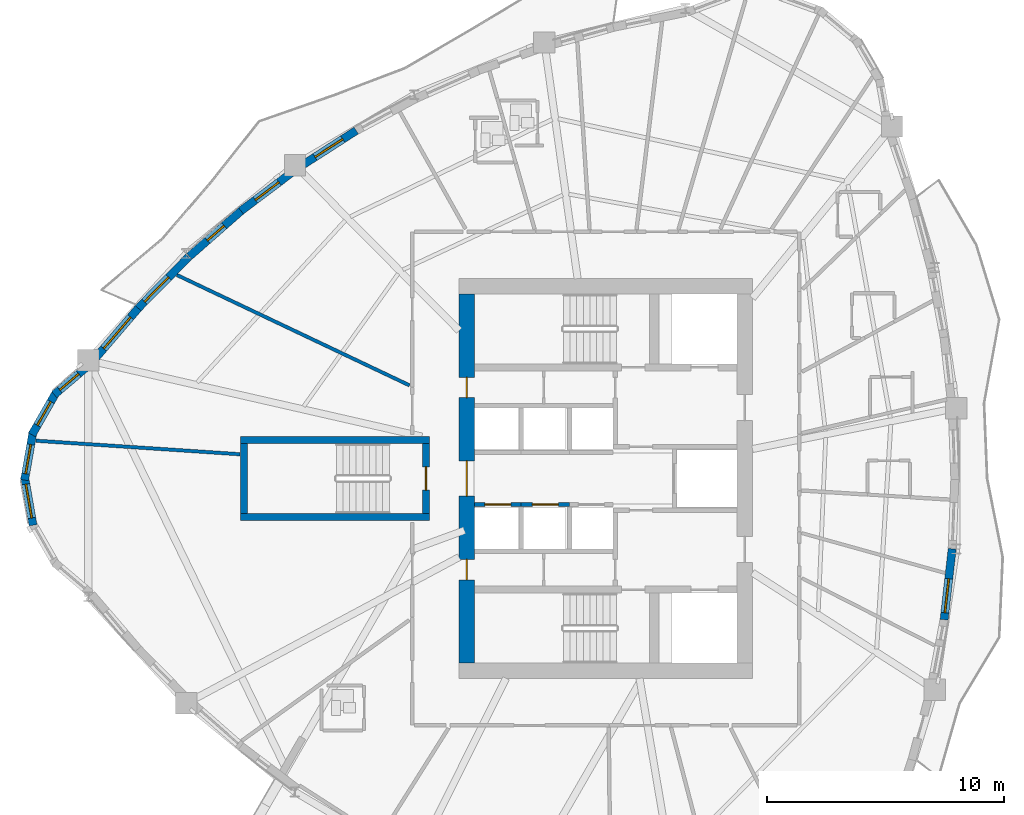
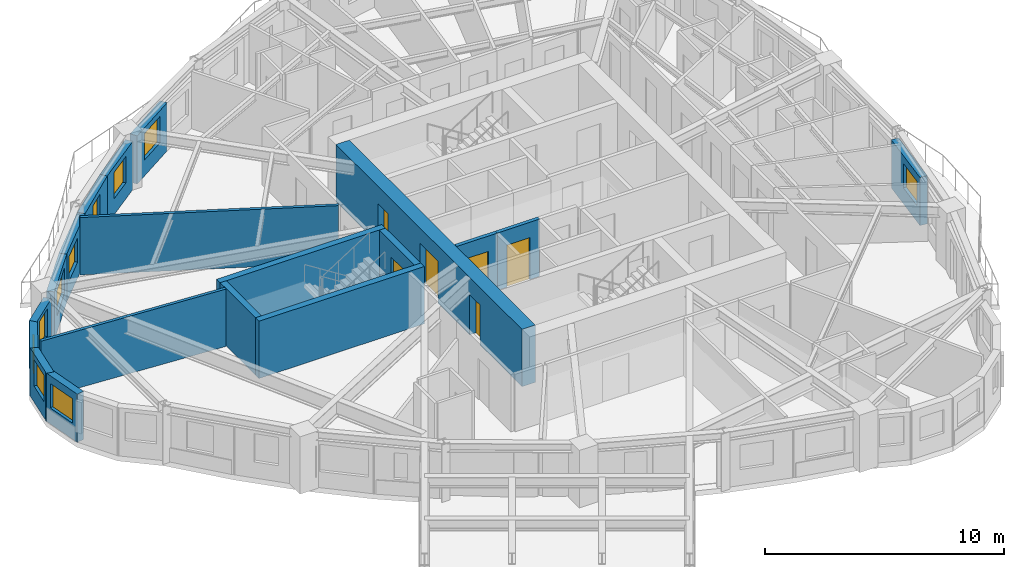
# One storey, part 7 of 17: 19 walls, 10 windows, 6 doors, 16 openings.
"""IFC4 building model written with IfcOpenShell, lengths in metres."""

from ifc_helpers import new_model, si_unit, direction, frame, frame_2d, origin, place, context, subcontext, project, spatial, rectangle, extrude, source, transform, mapped, material, layer, layer_set, type_object, element, fill, save


model = new_model("IFC4")

# Units and contexts
model_context = context("Model", 3, precision=1e-05, world=origin(), true_north=direction((0.0, 1.0)))
body_context = subcontext(model_context, "Body", "Model", "MODEL_VIEW")
ifc_project = project(units=[si_unit("LENGTHUNIT", "METRE"), si_unit("AREAUNIT", "SQUARE_METRE"), si_unit("VOLUMEUNIT", "CUBIC_METRE"), si_unit("PLANEANGLEUNIT", "RADIAN"), si_unit("MASSUNIT", "GRAM", prefix="KILO")], contexts=[model_context])

# Site, building, storey
site_placement = place(None, origin())
site = spatial("IfcSite", under=ifc_project, at=site_placement, CompositionType="ELEMENT")
building_placement = place(site_placement, origin())
building = spatial("IfcBuilding", under=site, at=building_placement, Name="Qafzar Sky-Pleat Residences", CompositionType="ELEMENT")
storey_placement = place(building_placement, frame((0.0, 0.0, 112.0)))
storey = spatial("IfcBuildingStorey", under=building, at=storey_placement, Name="L33", CompositionType="ELEMENT", Elevation=112.0)

# Wall, opening, door
ifc_material_1 = material(Name="Concrete blockwork partition", Category="masonry")
ifc_layer_1 = layer(ifc_material_1, 0.179931640625)
ifc_layer_set_1 = layer_set([ifc_layer_1], Name="Concrete blockwork partition")
wall_type_1 = type_object("IfcWallType", Name="PART-SHAFT-180", PredefinedType="PARTITIONING", material=ifc_layer_set_1)
wall_1_placement = place(storey_placement, frame((24.81005859375, 24.89990234375, 0.0), z_axis=(0.0, 0.0, 1.0), x_axis=(1.0, 0.0, 0.0)))
wall_1 = element("IfcWall", 1, at=wall_1_placement, inside=storey, type_object=wall_type_1, Name="L33 Partition Wall PART-L33-P1-N", PredefinedType="PARTITIONING", context=body_context, shape_type="SweptSolid", body=[
    extrude(rectangle(XDim=1.96484375, YDim=0.179931640625, at=frame_2d((0.982421875, 0.0))), origin(), (0.0, 0.0, 1.0), 2.93505859375),
])
opening_1_placement = place(wall_1_placement, frame((0.4326171875, 0.0, 0.0)))
opening_1 = element("IfcOpeningElement", 2, at=opening_1_placement, cuts=wall_1, Name="Opening LD-01", PredefinedType="OPENING", context=body_context, shape_type="SweptSolid", body=[
    extrude(rectangle(XDim=1.10009765625, YDim=2.14990234375, at=frame_2d((0.550048828125, 1.074951171875))), frame((0.0, 0.10009765625, 0.0), z_axis=(0.0, -1.0, 0.0), x_axis=(1.0, 0.0, 0.0)), (0.0, 0.0, 1.0), 0.199951171875),
])
ifc_material_2 = material(Name="Stainless steel sliding landing door", Category="steel")
door_type_1 = type_object("IfcDoorType", Name="DR-LIFT-P", OperationType="DOUBLE_DOOR_SLIDING", PredefinedType="DOOR", material=ifc_material_2)
shared_shape_1 = source(origin(), body_context, "Body", "SweptSolid", [
    extrude(rectangle(XDim=1.10009765625, YDim=2.14990234375, at=frame_2d((0.550048828125, 1.074951171875))), frame((0.0, 0.02490234375, 0.0), z_axis=(0.0, -1.0, 0.0), x_axis=(1.0, 0.0, 0.0)), (0.0, 0.0, 1.0), 0.050048828125),
])
door_1_placement = place(opening_1_placement, origin())
door_1 = element("IfcDoor", 3, at=door_1_placement, inside=storey, type_object=door_type_1, Name="L33 Passenger Lift P1 Landing Door", OperationType="DOUBLE_DOOR_SLIDING", OverallHeight=2.14990234375, OverallWidth=1.10009765625, PredefinedType="DOOR", context=body_context, shape_type="MappedRepresentation", body=[
    mapped(shared_shape_1, transform((0.0, 0.0, 0.0), x_axis=(1.0, 0.0, 0.0), y_axis=(0.0, 1.0, 0.0), z_axis=(0.0, 0.0, 1.0), scale=1.0)),
])
fill(opening_1, door_1)

wall_2_placement = place(storey_placement, frame((26.77490234375, 24.89990234375, 0.0), z_axis=(0.0, 0.0, 1.0), x_axis=(1.0, 0.0, 0.0)))
wall_2 = element("IfcWall", 4, at=wall_2_placement, inside=storey, type_object=wall_type_1, Name="L33 Partition Wall PART-L33-P2-N", PredefinedType="PARTITIONING", context=body_context, shape_type="SweptSolid", body=[
    extrude(rectangle(XDim=2.050048828125, YDim=0.179931640625, at=frame_2d((1.02490234375, 0.0))), origin(), (0.0, 0.0, 1.0), 2.93505859375),
])
opening_2_placement = place(wall_2_placement, frame((0.47509765625, 0.0, 0.0)))
opening_2 = element("IfcOpeningElement", 5, at=opening_2_placement, cuts=wall_2, Name="Opening LD-01", PredefinedType="OPENING", context=body_context, shape_type="SweptSolid", body=[
    extrude(rectangle(XDim=1.10009765625, YDim=2.14990234375, at=frame_2d((0.550048828125, 1.074951171875))), frame((0.0, 0.10009765625, 0.0), z_axis=(0.0, -1.0, 0.0), x_axis=(1.0, 0.0, 0.0)), (0.0, 0.0, 1.0), 0.199951171875),
])
door_2_placement = place(opening_2_placement, origin())
door_2 = element("IfcDoor", 6, at=door_2_placement, inside=storey, type_object=door_type_1, Name="L33 Passenger Lift P2 Landing Door", OperationType="DOUBLE_DOOR_SLIDING", OverallHeight=2.14990234375, OverallWidth=1.10009765625, PredefinedType="DOOR", context=body_context, shape_type="MappedRepresentation", body=[
    mapped(shared_shape_1, transform((0.0, 0.0, 0.0), x_axis=(1.0, 0.0, 0.0), y_axis=(0.0, 1.0, 0.0), z_axis=(0.0, 0.0, 1.0), scale=1.0)),
])
fill(opening_2, door_2)

# Walls
ifc_material_3 = material(Name="Acoustic gypsum plasterboard partition", Category="gypsum")
ifc_layer_2 = layer(ifc_material_3, 0.14501953125)
ifc_layer_set_2 = layer_set([ifc_layer_2], Name="Acoustic gypsum plasterboard partition")
wall_type_2 = type_object("IfcWallType", Name="PART-UNIT-145", PredefinedType="PARTITIONING", material=ifc_layer_set_2)
wall_3_placement = place(storey_placement, frame((12.21923828125, 34.602294921875, 0.0), z_axis=(0.0, 0.0, 1.0), x_axis=(0.90346129999, -0.428669662351, 0.0)))
element("IfcWall", 7, at=wall_3_placement, inside=storey, type_object=wall_type_2, Name="L33 Partition Wall PART-L33-PW-031", PredefinedType="PARTITIONING", context=body_context, shape_type="SweptSolid", body=[
    extrude(rectangle(XDim=10.883056640625, YDim=0.14501953125, at=frame_2d((5.44140625, 0.0))), origin(), (0.0, 0.0, 1.0), 2.93505859375),
])
wall_4_placement = place(storey_placement, frame((6.260009765625, 27.597412109375, 0.0), z_axis=(0.0, 0.0, 1.0), x_axis=(0.997805352235, -0.066215398902, 0.0)))
element("IfcWall", 8, at=wall_4_placement, inside=storey, type_object=wall_type_2, Name="L33 Partition Wall PART-L33-PW-037", PredefinedType="PARTITIONING", context=body_context, shape_type="SweptSolid", body=[
    extrude(rectangle(XDim=8.646240234375, YDim=0.14501953125, at=frame_2d((4.3232421875, 0.0))), origin(), (0.0, 0.0, 1.0), 2.93505859375),
])

# Wall, opening, window
ifc_material_4 = material(Name="Precast concrete C40/50 with honed Riyadh limestone", Category="concrete")
ifc_layer_3 = layer(ifc_material_4, 0.340087890625)
ifc_layer_set_3 = layer_set([ifc_layer_3], Name="Precast concrete C40/50 with honed Riyadh limestone")
wall_type_3 = type_object("IfcWallType", Name="WALL-EXT-340", PredefinedType="SOLIDWALL", material=ifc_layer_set_3)
wall_5_placement = place(storey_placement, frame((8.4091796875, 30.7177734375, 0.0), z_axis=(0.0, 0.0, 1.0), x_axis=(-0.761134405886, -0.648594184507, 0.0)))
wall_5 = element("IfcWall", 9, at=wall_5_placement, inside=storey, type_object=wall_type_3, Name="L33 Limestone Facade Wall 1", PredefinedType="SOLIDWALL", context=body_context, shape_type="SweptSolid", body=[
    extrude(rectangle(XDim=1.804931640625, YDim=0.340087890625, at=frame_2d((0.90234375, 0.0))), origin(), (0.0, 0.0, 1.0), 2.465087890625),
])
opening_3_placement = place(wall_5_placement, frame((0.452392578125, 0.0, 0.820068359375)))
opening_3 = element("IfcOpeningElement", 10, at=opening_3_placement, cuts=wall_5, Name="Opening WN-06", PredefinedType="OPENING", context=body_context, shape_type="SweptSolid", body=[
    extrude(rectangle(XDim=1.050048828125, YDim=1.449951171875, at=frame_2d((0.52490234375, 0.72509765625))), frame((0.0, 0.18017578125, 0.0), z_axis=(0.0, -1.0, 0.0), x_axis=(1.0, 0.0, 0.0)), (0.0, 0.0, 1.0), 0.360107421875),
])
ifc_material_5 = material(Name="Solar-control low-E glass in bronze aluminium frame", Category="glass")
window_type_1 = type_object("IfcWindowType", Name="WIN-06", PartitioningType="SINGLE_PANEL", PredefinedType="WINDOW", material=ifc_material_5)
shared_shape_2 = source(origin(), body_context, "Body", "SweptSolid", [
    extrude(rectangle(XDim=1.050048828125, YDim=1.449951171875, at=frame_2d((0.52490234375, 0.72509765625))), frame((0.0, 0.030029296875, 0.0), z_axis=(0.0, -1.0, 0.0), x_axis=(1.0, 0.0, 0.0)), (0.0, 0.0, 1.0), 0.06005859375),
])
window_1_placement = place(opening_3_placement, origin())
window_1 = element("IfcWindow", 11, at=window_1_placement, inside=storey, type_object=window_type_1, Name="L33 Punched Facade Window 01", OverallHeight=1.449951171875, OverallWidth=1.050048828125, PartitioningType="SINGLE_PANEL", PredefinedType="WINDOW", context=body_context, shape_type="MappedRepresentation", body=[
    mapped(shared_shape_2, transform((0.0, 0.0, 0.0), x_axis=(1.0, 0.0, 0.0), y_axis=(0.0, 1.0, 0.0), z_axis=(0.0, 0.0, 1.0), scale=1.0)),
])
fill(opening_3, window_1)

wall_6_placement = place(storey_placement, frame((7.12060546875, 29.64990234375, 0.0), z_axis=(0.0, 0.0, 1.0), x_axis=(-0.496037473582, -0.868301114132, 0.0)))
wall_6 = element("IfcWall", 12, at=wall_6_placement, inside=storey, type_object=wall_type_3, Name="L33 Limestone Facade Wall 2", PredefinedType="SOLIDWALL", context=body_context, shape_type="SweptSolid", body=[
    extrude(rectangle(XDim=2.072998046875, YDim=0.340087890625, at=frame_2d((1.03662109375, 0.0))), origin(), (0.0, 0.0, 1.0), 2.465087890625),
])
opening_4_placement = place(wall_6_placement, frame((0.46142578125, 0.0, 0.820068359375)))
opening_4 = element("IfcOpeningElement", 13, at=opening_4_placement, cuts=wall_6, Name="Opening WN-16", PredefinedType="OPENING", context=body_context, shape_type="SweptSolid", body=[
    extrude(rectangle(XDim=1.14990234375, YDim=1.199951171875, at=frame_2d((0.574951171875, 0.60009765625))), frame((0.0, 0.18017578125, 0.0), z_axis=(0.0, -1.0, 0.0), x_axis=(1.0, 0.0, 0.0)), (0.0, 0.0, 1.0), 0.360107421875),
])
window_type_2 = type_object("IfcWindowType", Name="WIN-16", PartitioningType="SINGLE_PANEL", PredefinedType="WINDOW", material=ifc_material_5)
shared_shape_3 = source(origin(), body_context, "Body", "SweptSolid", [
    extrude(rectangle(XDim=1.14990234375, YDim=1.199951171875, at=frame_2d((0.574951171875, 0.60009765625))), frame((0.0, 0.030029296875, 0.0), z_axis=(0.0, -1.0, 0.0), x_axis=(1.0, 0.0, 0.0)), (0.0, 0.0, 1.0), 0.06005859375),
])
window_2_placement = place(opening_4_placement, origin())
window_2 = element("IfcWindow", 14, at=window_2_placement, inside=storey, type_object=window_type_2, Name="L33 Punched Facade Window 02", OverallHeight=1.199951171875, OverallWidth=1.14990234375, PartitioningType="SINGLE_PANEL", PredefinedType="WINDOW", context=body_context, shape_type="MappedRepresentation", body=[
    mapped(shared_shape_3, transform((0.0, 0.0, 0.0), x_axis=(1.0, 0.0, 0.0), y_axis=(0.0, 1.0, 0.0), z_axis=(0.0, 0.0, 1.0), scale=1.0)),
])
fill(opening_4, window_2)

wall_7_placement = place(storey_placement, frame((6.1376953125, 27.975341796875, 0.0), z_axis=(0.0, 0.0, 1.0), x_axis=(-0.172186061474, -0.985064444711, 0.0)))
wall_7 = element("IfcWall", 15, at=wall_7_placement, inside=storey, type_object=wall_type_3, Name="L33 Limestone Facade Wall 3", PredefinedType="SOLIDWALL", context=body_context, shape_type="SweptSolid", body=[
    extrude(rectangle(XDim=2.072998046875, YDim=0.340087890625, at=frame_2d((1.03662109375, 0.0))), origin(), (0.0, 0.0, 1.0), 2.465087890625),
])
opening_5_placement = place(wall_7_placement, frame((0.548583984375, 0.0, 0.820068359375)))
opening_5 = element("IfcOpeningElement", 16, at=opening_5_placement, cuts=wall_7, Name="Opening WN-11", PredefinedType="OPENING", context=body_context, shape_type="SweptSolid", body=[
    extrude(rectangle(XDim=1.25, YDim=1.35009765625, at=frame_2d((0.625, 0.675048828125))), frame((0.0, 0.18017578125, 0.0), z_axis=(0.0, -1.0, 0.0), x_axis=(1.0, 0.0, 0.0)), (0.0, 0.0, 1.0), 0.360107421875),
])
window_type_3 = type_object("IfcWindowType", Name="WIN-11", PartitioningType="SINGLE_PANEL", PredefinedType="WINDOW", material=ifc_material_5)
shared_shape_4 = source(origin(), body_context, "Body", "SweptSolid", [
    extrude(rectangle(XDim=1.25, YDim=1.35009765625, at=frame_2d((0.625, 0.675048828125))), frame((0.0, 0.030029296875, 0.0), z_axis=(0.0, -1.0, 0.0), x_axis=(1.0, 0.0, 0.0)), (0.0, 0.0, 1.0), 0.06005859375),
])
window_3_placement = place(opening_5_placement, origin())
window_3 = element("IfcWindow", 17, at=window_3_placement, inside=storey, type_object=window_type_3, Name="L33 Punched Facade Window 03", OverallHeight=1.35009765625, OverallWidth=1.25, PartitioningType="SINGLE_PANEL", PredefinedType="WINDOW", context=body_context, shape_type="MappedRepresentation", body=[
    mapped(shared_shape_4, transform((0.0, 0.0, 0.0), x_axis=(1.0, 0.0, 0.0), y_axis=(0.0, 1.0, 0.0), z_axis=(0.0, 0.0, 1.0), scale=1.0)),
])
fill(opening_5, window_3)

wall_8_placement = place(storey_placement, frame((5.78076171875, 26.066650390625, 0.0), z_axis=(0.0, 0.0, 1.0), x_axis=(0.172186061474, -0.985064444711, 0.0)))
wall_8 = element("IfcWall", 18, at=wall_8_placement, inside=storey, type_object=wall_type_3, Name="L33 Limestone Facade Wall 4", PredefinedType="SOLIDWALL", context=body_context, shape_type="SweptSolid", body=[
    extrude(rectangle(XDim=2.072998046875, YDim=0.340087890625, at=frame_2d((1.03662109375, 0.0))), origin(), (0.0, 0.0, 1.0), 2.465087890625),
])
opening_6_placement = place(wall_8_placement, frame((0.3115234375, 0.0, 0.820068359375)))
opening_6 = element("IfcOpeningElement", 19, at=opening_6_placement, cuts=wall_8, Name="Opening WN-15", PredefinedType="OPENING", context=body_context, shape_type="SweptSolid", body=[
    extrude(rectangle(XDim=1.449951171875, YDim=1.25, at=frame_2d((0.72509765625, 0.625))), frame((0.0, 0.18017578125, 0.0), z_axis=(0.0, -1.0, 0.0), x_axis=(1.0, 0.0, 0.0)), (0.0, 0.0, 1.0), 0.360107421875),
])
window_type_4 = type_object("IfcWindowType", Name="WIN-15", PartitioningType="SINGLE_PANEL", PredefinedType="WINDOW", material=ifc_material_5)
shared_shape_5 = source(origin(), body_context, "Body", "SweptSolid", [
    extrude(rectangle(XDim=1.449951171875, YDim=1.25, at=frame_2d((0.72509765625, 0.625))), frame((0.0, 0.030029296875, 0.0), z_axis=(0.0, -1.0, 0.0), x_axis=(1.0, 0.0, 0.0)), (0.0, 0.0, 1.0), 0.06005859375),
])
window_4_placement = place(opening_6_placement, origin())
window_4 = element("IfcWindow", 20, at=window_4_placement, inside=storey, type_object=window_type_4, Name="L33 Punched Facade Window 04", OverallHeight=1.25, OverallWidth=1.449951171875, PartitioningType="SINGLE_PANEL", PredefinedType="WINDOW", context=body_context, shape_type="MappedRepresentation", body=[
    mapped(shared_shape_5, transform((0.0, 0.0, 0.0), x_axis=(1.0, 0.0, 0.0), y_axis=(0.0, 1.0, 0.0), z_axis=(0.0, 0.0, 1.0), scale=1.0)),
])
fill(opening_6, window_4)

wall_9_placement = place(storey_placement, frame((44.65087890625, 20.03125, 0.0), z_axis=(0.0, 0.0, 1.0), x_axis=(0.113295171372, 0.99356137412, 0.0)))
wall_9 = element("IfcWall", 21, at=wall_9_placement, inside=storey, type_object=wall_type_3, Name="L33 Limestone Facade Wall 26", PredefinedType="SOLIDWALL", context=body_context, shape_type="SweptSolid", body=[
    extrude(rectangle(XDim=3.012451171875, YDim=0.340087890625, at=frame_2d((1.50634765625, 0.0))), origin(), (0.0, 0.0, 1.0), 2.465087890625),
])
opening_7_placement = place(wall_9_placement, frame((0.296142578125, 0.0, 0.820068359375)))
opening_7 = element("IfcOpeningElement", 22, at=opening_7_placement, cuts=wall_9, Name="Opening WN-15", PredefinedType="OPENING", context=body_context, shape_type="SweptSolid", body=[
    extrude(rectangle(XDim=1.449951171875, YDim=1.25, at=frame_2d((0.72509765625, 0.625))), frame((0.0, 0.18017578125, 0.0), z_axis=(0.0, -1.0, 0.0), x_axis=(1.0, 0.0, 0.0)), (0.0, 0.0, 1.0), 0.360107421875),
])
window_5_placement = place(opening_7_placement, origin())
window_5 = element("IfcWindow", 23, at=window_5_placement, inside=storey, type_object=window_type_4, Name="L33 Punched Facade Window 26", OverallHeight=1.25, OverallWidth=1.449951171875, PartitioningType="SINGLE_PANEL", PredefinedType="WINDOW", context=body_context, shape_type="MappedRepresentation", body=[
    mapped(shared_shape_5, transform((0.0, 0.0, 0.0), x_axis=(1.0, 0.0, 0.0), y_axis=(0.0, 1.0, 0.0), z_axis=(0.0, 0.0, 1.0), scale=1.0)),
])
fill(opening_7, window_5)

wall_10_placement = place(storey_placement, frame((19.7998046875, 40.70849609375, 0.0), z_axis=(0.0, 0.0, 1.0), x_axis=(-0.841470838401, -0.540302533883, 0.0)))
wall_10 = element("IfcWall", 24, at=wall_10_placement, inside=storey, type_object=wall_type_3, Name="L33 Limestone Facade Wall 44", PredefinedType="SOLIDWALL", context=body_context, shape_type="SweptSolid", body=[
    extrude(rectangle(XDim=2.7392578125, YDim=0.340087890625, at=frame_2d((1.36962890625, 0.0))), origin(), (0.0, 0.0, 1.0), 2.465087890625),
])
opening_8_placement = place(wall_10_placement, frame((0.674560546875, 0.0, 0.820068359375)))
opening_8 = element("IfcOpeningElement", 25, at=opening_8_placement, cuts=wall_10, Name="Opening WN-10", PredefinedType="OPENING", context=body_context, shape_type="SweptSolid", body=[
    extrude(rectangle(XDim=1.39990234375, YDim=1.35009765625, at=frame_2d((0.699951171875, 0.675048828125))), frame((0.0, 0.18017578125, 0.0), z_axis=(0.0, -1.0, 0.0), x_axis=(1.0, 0.0, 0.0)), (0.0, 0.0, 1.0), 0.360107421875),
])
window_type_5 = type_object("IfcWindowType", Name="WIN-10", PartitioningType="SINGLE_PANEL", PredefinedType="WINDOW", material=ifc_material_5)
shared_shape_6 = source(origin(), body_context, "Body", "SweptSolid", [
    extrude(rectangle(XDim=1.39990234375, YDim=1.35009765625, at=frame_2d((0.699951171875, 0.675048828125))), frame((0.0, 0.030029296875, 0.0), z_axis=(0.0, -1.0, 0.0), x_axis=(1.0, 0.0, 0.0)), (0.0, 0.0, 1.0), 0.06005859375),
])
window_6_placement = place(opening_8_placement, origin())
window_6 = element("IfcWindow", 26, at=window_6_placement, inside=storey, type_object=window_type_5, Name="L33 Punched Facade Window 44", OverallHeight=1.35009765625, OverallWidth=1.39990234375, PartitioningType="SINGLE_PANEL", PredefinedType="WINDOW", context=body_context, shape_type="MappedRepresentation", body=[
    mapped(shared_shape_6, transform((0.0, 0.0, 0.0), x_axis=(1.0, 0.0, 0.0), y_axis=(0.0, 1.0, 0.0), z_axis=(0.0, 0.0, 1.0), scale=1.0)),
])
fill(opening_8, window_6)

wall_11_placement = place(storey_placement, frame((17.128173828125, 38.97314453125, 0.0), z_axis=(0.0, 0.0, 1.0), x_axis=(-0.798381200707, -0.602152354772, 0.0)))
wall_11 = element("IfcWall", 27, at=wall_11_placement, inside=storey, type_object=wall_type_3, Name="L33 Limestone Facade Wall 45", PredefinedType="SOLIDWALL", context=body_context, shape_type="SweptSolid", body=[
    extrude(rectangle(XDim=2.755859375, YDim=0.340087890625, at=frame_2d((1.3779296875, 0.0))), origin(), (0.0, 0.0, 1.0), 2.465087890625),
])
opening_9_placement = place(wall_11_placement, frame((0.747802734375, 0.0, 0.820068359375)))
opening_9 = element("IfcOpeningElement", 28, at=opening_9_placement, cuts=wall_11, Name="Opening WN-11", PredefinedType="OPENING", context=body_context, shape_type="SweptSolid", body=[
    extrude(rectangle(XDim=1.25, YDim=1.35009765625, at=frame_2d((0.625, 0.675048828125))), frame((0.0, 0.18017578125, 0.0), z_axis=(0.0, -1.0, 0.0), x_axis=(1.0, 0.0, 0.0)), (0.0, 0.0, 1.0), 0.360107421875),
])
window_7_placement = place(opening_9_placement, origin())
window_7 = element("IfcWindow", 29, at=window_7_placement, inside=storey, type_object=window_type_3, Name="L33 Punched Facade Window 45", OverallHeight=1.35009765625, OverallWidth=1.25, PartitioningType="SINGLE_PANEL", PredefinedType="WINDOW", context=body_context, shape_type="MappedRepresentation", body=[
    mapped(shared_shape_4, transform((0.0, 0.0, 0.0), x_axis=(1.0, 0.0, 0.0), y_axis=(0.0, 1.0, 0.0), z_axis=(0.0, 0.0, 1.0), scale=1.0)),
])
fill(opening_9, window_7)

wall_12_placement = place(storey_placement, frame((14.996826171875, 37.36962890625, 0.0), z_axis=(0.0, 0.0, 1.0), x_axis=(-0.751446130796, -0.659794447166, 0.0)))
wall_12 = element("IfcWall", 30, at=wall_12_placement, inside=storey, type_object=wall_type_3, Name="L33 Limestone Facade Wall 46", PredefinedType="SOLIDWALL", context=body_context, shape_type="SweptSolid", body=[
    extrude(rectangle(XDim=2.99951171875, YDim=0.340087890625, at=frame_2d((1.499755859375, 0.0))), origin(), (0.0, 0.0, 1.0), 2.465087890625),
])
opening_10_placement = place(wall_12_placement, frame((1.03466796875, 0.0, 0.820068359375)))
opening_10 = element("IfcOpeningElement", 31, at=opening_10_placement, cuts=wall_12, Name="Opening WN-12", PredefinedType="OPENING", context=body_context, shape_type="SweptSolid", body=[
    extrude(rectangle(XDim=0.949951171875, YDim=1.35009765625, at=frame_2d((0.47509765625, 0.675048828125))), frame((0.0, 0.18017578125, 0.0), z_axis=(0.0, -1.0, 0.0), x_axis=(1.0, 0.0, 0.0)), (0.0, 0.0, 1.0), 0.360107421875),
])
window_type_6 = type_object("IfcWindowType", Name="WIN-12", PartitioningType="SINGLE_PANEL", PredefinedType="WINDOW", material=ifc_material_5)
shared_shape_7 = source(origin(), body_context, "Body", "SweptSolid", [
    extrude(rectangle(XDim=0.949951171875, YDim=1.35009765625, at=frame_2d((0.47509765625, 0.675048828125))), frame((0.0, 0.030029296875, 0.0), z_axis=(0.0, -1.0, 0.0), x_axis=(1.0, 0.0, 0.0)), (0.0, 0.0, 1.0), 0.06005859375),
])
window_8_placement = place(opening_10_placement, origin())
window_8 = element("IfcWindow", 32, at=window_8_placement, inside=storey, type_object=window_type_6, Name="L33 Punched Facade Window 46", OverallHeight=1.35009765625, OverallWidth=0.949951171875, PartitioningType="SINGLE_PANEL", PredefinedType="WINDOW", context=body_context, shape_type="MappedRepresentation", body=[
    mapped(shared_shape_7, transform((0.0, 0.0, 0.0), x_axis=(1.0, 0.0, 0.0), y_axis=(0.0, 1.0, 0.0), z_axis=(0.0, 0.0, 1.0), scale=1.0)),
])
fill(opening_10, window_8)

wall_13_placement = place(storey_placement, frame((12.72265625, 35.37158203125, 0.0), z_axis=(0.0, 0.0, 1.0), x_axis=(-0.701922597509, -0.71225323243, 0.0)))
wall_13 = element("IfcWall", 33, at=wall_13_placement, inside=storey, type_object=wall_type_3, Name="L33 Limestone Facade Wall 47", PredefinedType="SOLIDWALL", context=body_context, shape_type="SweptSolid", body=[
    extrude(rectangle(XDim=3.048583984375, YDim=0.340087890625, at=frame_2d((1.5244140625, 0.0))), origin(), (0.0, 0.0, 1.0), 2.465087890625),
])
opening_11_placement = place(wall_13_placement, frame((1.213623046875, 0.0, 0.820068359375)))
opening_11 = element("IfcOpeningElement", 34, at=opening_11_placement, cuts=wall_13, Name="Opening WN-15", PredefinedType="OPENING", context=body_context, shape_type="SweptSolid", body=[
    extrude(rectangle(XDim=1.449951171875, YDim=1.25, at=frame_2d((0.72509765625, 0.625))), frame((0.0, 0.18017578125, 0.0), z_axis=(0.0, -1.0, 0.0), x_axis=(1.0, 0.0, 0.0)), (0.0, 0.0, 1.0), 0.360107421875),
])
window_9_placement = place(opening_11_placement, origin())
window_9 = element("IfcWindow", 35, at=window_9_placement, inside=storey, type_object=window_type_4, Name="L33 Punched Facade Window 47-2", OverallHeight=1.25, OverallWidth=1.449951171875, PartitioningType="SINGLE_PANEL", PredefinedType="WINDOW", context=body_context, shape_type="MappedRepresentation", body=[
    mapped(shared_shape_5, transform((0.0, 0.0, 0.0), x_axis=(1.0, 0.0, 0.0), y_axis=(0.0, 1.0, 0.0), z_axis=(0.0, 0.0, 1.0), scale=1.0)),
])
fill(opening_11, window_9)

wall_14_placement = place(storey_placement, frame((10.64208984375, 33.264892578125, 0.0), z_axis=(0.0, 0.0, 1.0), x_axis=(-0.650694416433, -0.759339697647, 0.0)))
wall_14 = element("IfcWall", 36, at=wall_14_placement, inside=storey, type_object=wall_type_3, Name="L33 Limestone Facade Wall 48", PredefinedType="SOLIDWALL", context=body_context, shape_type="SweptSolid", body=[
    extrude(rectangle(XDim=2.9033203125, YDim=0.340087890625, at=frame_2d((1.45166015625, 0.0))), origin(), (0.0, 0.0, 1.0), 2.465087890625),
])
opening_12_placement = place(wall_14_placement, frame((0.581787109375, 0.0, 0.820068359375)))
opening_12 = element("IfcOpeningElement", 37, at=opening_12_placement, cuts=wall_14, Name="Opening WN-14", PredefinedType="OPENING", context=body_context, shape_type="SweptSolid", body=[
    extrude(rectangle(XDim=1.75, YDim=1.300048828125, at=frame_2d((0.875, 0.64990234375))), frame((0.0, 0.18017578125, 0.0), z_axis=(0.0, -1.0, 0.0), x_axis=(1.0, 0.0, 0.0)), (0.0, 0.0, 1.0), 0.360107421875),
])
window_type_7 = type_object("IfcWindowType", Name="WIN-14", PartitioningType="DOUBLE_PANEL_VERTICAL", PredefinedType="WINDOW", material=ifc_material_5)
shared_shape_8 = source(origin(), body_context, "Body", "SweptSolid", [
    extrude(rectangle(XDim=1.75, YDim=1.300048828125, at=frame_2d((0.875, 0.64990234375))), frame((0.0, 0.030029296875, 0.0), z_axis=(0.0, -1.0, 0.0), x_axis=(1.0, 0.0, 0.0)), (0.0, 0.0, 1.0), 0.06005859375),
])
window_10_placement = place(opening_12_placement, origin())
window_10 = element("IfcWindow", 38, at=window_10_placement, inside=storey, type_object=window_type_7, Name="L33 Punched Facade Window 48", OverallHeight=1.300048828125, OverallWidth=1.75, PartitioningType="SINGLE_PANEL", PredefinedType="WINDOW", context=body_context, shape_type="MappedRepresentation", body=[
    mapped(shared_shape_8, transform((0.0, 0.0, 0.0), x_axis=(1.0, 0.0, 0.0), y_axis=(0.0, 1.0, 0.0), z_axis=(0.0, 0.0, 1.0), scale=1.0)),
])
fill(opening_12, window_10)

# Walls
ifc_material_6 = material(Name="Concrete C60/75", Category="concrete")
ifc_layer_4 = layer(ifc_material_6, 0.300048828125)
ifc_layer_set_4 = layer_set([ifc_layer_4], Name="Concrete C60/75")
wall_type_4 = type_object("IfcWallType", Name="WALL-SHEAR-300", PredefinedType="SHEAR", material=ifc_layer_set_4)
for number, where, z_axis, x_axis, name in (
    (39, (14.89990234375, 24.375, 0.0), (0.0, 0.0, 1.0), (1.0, 0.0, 0.0), "L33 ST3 wall S"),
    (40, (22.89990234375, 27.625, 0.0), (0.0, 0.0, 1.0), (-1.0, 0.0, 0.0), "L33 ST3 wall N"),
):
    element("IfcWall", number, at=place(storey_placement, frame(where, z_axis=z_axis, x_axis=x_axis)), inside=storey, type_object=wall_type_4, Name=name, PredefinedType="SHEAR", context=body_context, shape_type="SweptSolid", body=[
        extrude(rectangle(XDim=8.0, YDim=0.300048828125, at=frame_2d((4.0, 0.0))), origin(), (0.0, 0.0, 1.0), 2.93505859375),
    ])
wall_15_placement = place(storey_placement, frame((15.050048828125, 27.47509765625, 0.0), z_axis=(0.0, 0.0, 1.0), x_axis=(0.0, -1.0, 0.0)))
element("IfcWall", 41, at=wall_15_placement, inside=storey, type_object=wall_type_4, Name="L33 ST3 wall W", PredefinedType="SHEAR", context=body_context, shape_type="SweptSolid", body=[
    extrude(rectangle(XDim=2.9501953125, YDim=0.300048828125, at=frame_2d((1.47509765625, 0.0))), origin(), (0.0, 0.0, 1.0), 2.93505859375),
])

# Wall, opening, door
wall_16_placement = place(storey_placement, frame((22.75, 24.52490234375, 0.0), z_axis=(0.0, 0.0, 1.0), x_axis=(0.0, 1.0, 0.0)))
wall_16 = element("IfcWall", 42, at=wall_16_placement, inside=storey, type_object=wall_type_4, Name="L33 ST3 wall E", PredefinedType="SHEAR", context=body_context, shape_type="SweptSolid", body=[
    extrude(rectangle(XDim=2.9501953125, YDim=0.300048828125, at=frame_2d((1.47509765625, 0.0))), origin(), (0.0, 0.0, 1.0), 2.93505859375),
])
opening_13_placement = place(wall_16_placement, frame((0.985107421875, 0.0, 0.0)))
opening_13 = element("IfcOpeningElement", 43, at=opening_13_placement, cuts=wall_16, Name="Opening ID-01", PredefinedType="OPENING", context=body_context, shape_type="SweptSolid", body=[
    extrude(rectangle(XDim=0.97998046875, YDim=2.14990234375, at=frame_2d((0.489990234375, 1.074951171875))), frame((0.0, 0.16015625, 0.0), z_axis=(0.0, -1.0, 0.0), x_axis=(1.0, 0.0, 0.0)), (0.0, 0.0, 1.0), 0.320068359375),
])
ifc_material_7 = material(Name="Timber-faced fire door", Category="wood")
door_type_2 = type_object("IfcDoorType", Name="DR-STAIR-980", OperationType="NOTDEFINED", PredefinedType="DOOR", material=ifc_material_7)
shared_shape_9 = source(origin(), body_context, "Body", "SweptSolid", [
    extrude(rectangle(XDim=0.97998046875, YDim=2.14990234375, at=frame_2d((0.489990234375, 1.074951171875))), frame((0.0, 0.02490234375, 0.0), z_axis=(0.0, -1.0, 0.0), x_axis=(1.0, 0.0, 0.0)), (0.0, 0.0, 1.0), 0.050048828125),
])
door_3_placement = place(opening_13_placement, origin())
door_3 = element("IfcDoor", 44, at=door_3_placement, inside=storey, type_object=door_type_2, Name="L33 Stair ST3 Fire Door", OperationType="SINGLE_SWING_LEFT", OverallHeight=2.14990234375, OverallWidth=0.97998046875, PredefinedType="DOOR", context=body_context, shape_type="MappedRepresentation", body=[
    mapped(shared_shape_9, transform((0.0, 0.0, 0.0), x_axis=(1.0, 0.0, 0.0), y_axis=(0.0, 1.0, 0.0), z_axis=(0.0, 0.0, 1.0), scale=1.0)),
])
fill(opening_13, door_3)

# Wall, openings, doors
ifc_layer_5 = layer(ifc_material_6, 0.64990234375)
ifc_layer_set_5 = layer_set([ifc_layer_5], Name="Concrete C60/75")
wall_type_5 = type_object("IfcWallType", Name="WALL-SHEAR-650", PredefinedType="SHEAR", material=ifc_layer_set_5)
wall_17_placement = place(storey_placement, frame((24.47509765625, 33.800048828125, 0.0), z_axis=(0.0, 0.0, 1.0), x_axis=(0.0, -1.0, 0.0)))
wall_17 = element("IfcWall", 45, at=wall_17_placement, inside=storey, type_object=wall_type_5, Name="L33 CORE wall W", PredefinedType="SHEAR", context=body_context, shape_type="SweptSolid", body=[
    extrude(rectangle(XDim=15.60009765625, YDim=0.64990234375, at=frame_2d((7.800048828125, 0.0))), origin(), (0.0, 0.0, 1.0), 2.93505859375),
])
opening_14_placement = place(wall_17_placement, frame((7.050048828125, 0.0, 0.0)))
opening_14 = element("IfcOpeningElement", 46, at=opening_14_placement, cuts=wall_17, Name="Opening ID-03", PredefinedType="OPENING", context=body_context, shape_type="SweptSolid", body=[
    extrude(rectangle(XDim=1.5, YDim=2.14990234375, at=frame_2d((0.75, 1.074951171875))), frame((0.0, 0.3349609375, 0.0), z_axis=(0.0, -1.0, 0.0), x_axis=(1.0, 0.0, 0.0)), (0.0, 0.0, 1.0), 0.669921875),
])
opening_15_placement = place(wall_17_placement, frame((3.52001953125, 0.0, 0.0)))
opening_15 = element("IfcOpeningElement", 47, at=opening_15_placement, cuts=wall_17, Name="Opening ID-09", PredefinedType="OPENING", context=body_context, shape_type="SweptSolid", body=[
    extrude(rectangle(XDim=0.860107421875, YDim=2.050048828125, at=frame_2d((0.43017578125, 1.02490234375))), frame((0.0, 0.3349609375, 0.0), z_axis=(0.0, -1.0, 0.0), x_axis=(1.0, 0.0, 0.0)), (0.0, 0.0, 1.0), 0.669921875),
])
opening_16_placement = place(wall_17_placement, frame((11.219970703125, 0.0, 0.0)))
opening_16 = element("IfcOpeningElement", 48, at=opening_16_placement, cuts=wall_17, Name="Opening ID-09", PredefinedType="OPENING", context=body_context, shape_type="SweptSolid", body=[
    extrude(rectangle(XDim=0.860107421875, YDim=2.050048828125, at=frame_2d((0.43017578125, 1.02490234375))), frame((0.0, 0.3349609375, 0.0), z_axis=(0.0, -1.0, 0.0), x_axis=(1.0, 0.0, 0.0)), (0.0, 0.0, 1.0), 0.669921875),
])
door_type_3 = type_object("IfcDoorType", Name="DR-COR-1500", OperationType="DOUBLE_DOOR_SINGLE_SWING", PredefinedType="DOOR", material=ifc_material_7)
shared_shape_10 = source(origin(), body_context, "Body", "SweptSolid", [
    extrude(rectangle(XDim=1.5, YDim=2.14990234375, at=frame_2d((0.75, 1.074951171875))), frame((0.0, 0.02490234375, 0.0), z_axis=(0.0, -1.0, 0.0), x_axis=(1.0, 0.0, 0.0)), (0.0, 0.0, 1.0), 0.050048828125),
])
door_4_placement = place(opening_14_placement, origin())
door_4 = element("IfcDoor", 49, at=door_4_placement, inside=storey, type_object=door_type_3, Name="L33 Lift Lobby West Double Door", OperationType="DOUBLE_DOOR_SINGLE_SWING", OverallHeight=2.14990234375, OverallWidth=1.5, PredefinedType="DOOR", context=body_context, shape_type="MappedRepresentation", body=[
    mapped(shared_shape_10, transform((0.0, 0.0, 0.0), x_axis=(1.0, 0.0, 0.0), y_axis=(0.0, 1.0, 0.0), z_axis=(0.0, 0.0, 1.0), scale=1.0)),
])
fill(opening_14, door_4)
door_type_4 = type_object("IfcDoorType", Name="DR-SVC-860", OperationType="NOTDEFINED", PredefinedType="DOOR", material=ifc_material_7)
shared_shape_11 = source(origin(), body_context, "Body", "SweptSolid", [
    extrude(rectangle(XDim=0.860107421875, YDim=2.050048828125, at=frame_2d((0.43017578125, 1.02490234375))), frame((0.0, 0.02490234375, 0.0), z_axis=(0.0, -1.0, 0.0), x_axis=(1.0, 0.0, 0.0)), (0.0, 0.0, 1.0), 0.050048828125),
])
door_5_placement = place(opening_15_placement, origin())
door_5 = element("IfcDoor", 50, at=door_5_placement, inside=storey, type_object=door_type_4, Name="L33 Core North-West Service Door", OperationType="SINGLE_SWING_RIGHT", OverallHeight=2.050048828125, OverallWidth=0.860107421875, PredefinedType="DOOR", context=body_context, shape_type="MappedRepresentation", body=[
    mapped(shared_shape_11, transform((0.0, 0.0, 0.0), x_axis=(1.0, 0.0, 0.0), y_axis=(0.0, 1.0, 0.0), z_axis=(0.0, 0.0, 1.0), scale=1.0)),
])
fill(opening_15, door_5)
door_6_placement = place(opening_16_placement, origin())
door_6 = element("IfcDoor", 51, at=door_6_placement, inside=storey, type_object=door_type_4, Name="L33 Core South-West Service Door", OperationType="SINGLE_SWING_LEFT", OverallHeight=2.050048828125, OverallWidth=0.860107421875, PredefinedType="DOOR", context=body_context, shape_type="MappedRepresentation", body=[
    mapped(shared_shape_11, transform((0.0, 0.0, 0.0), x_axis=(1.0, 0.0, 0.0), y_axis=(0.0, 1.0, 0.0), z_axis=(0.0, 0.0, 1.0), scale=1.0)),
])
fill(opening_16, door_6)

save(model, "model.ifc")
